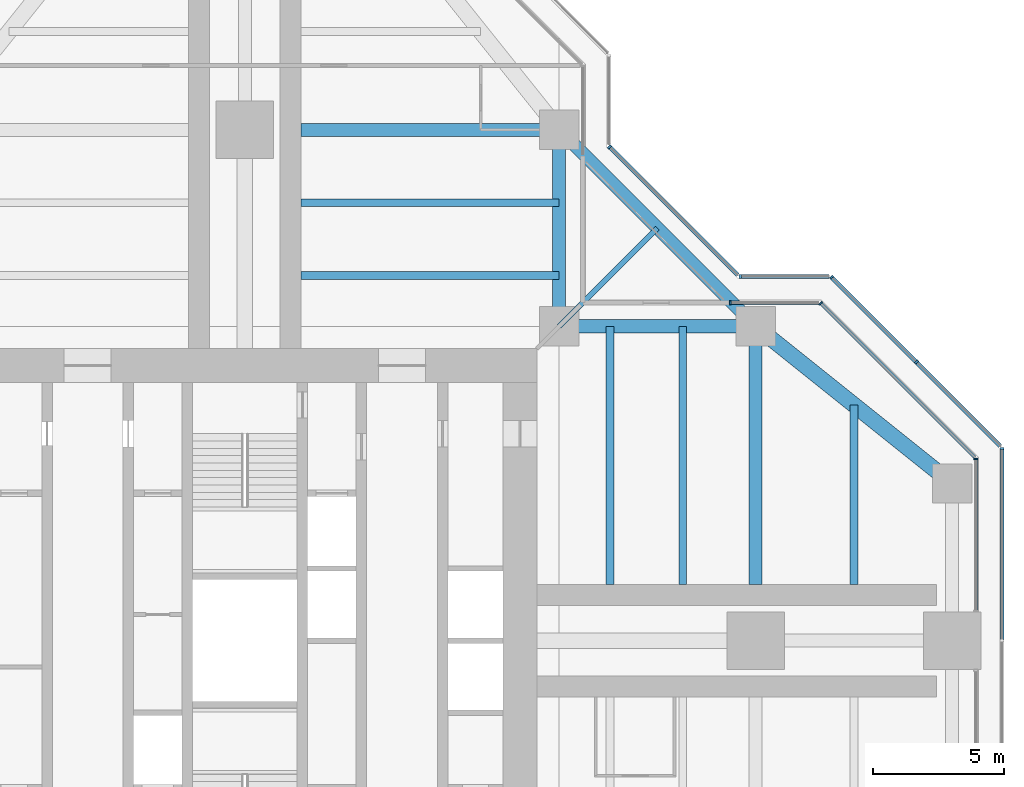
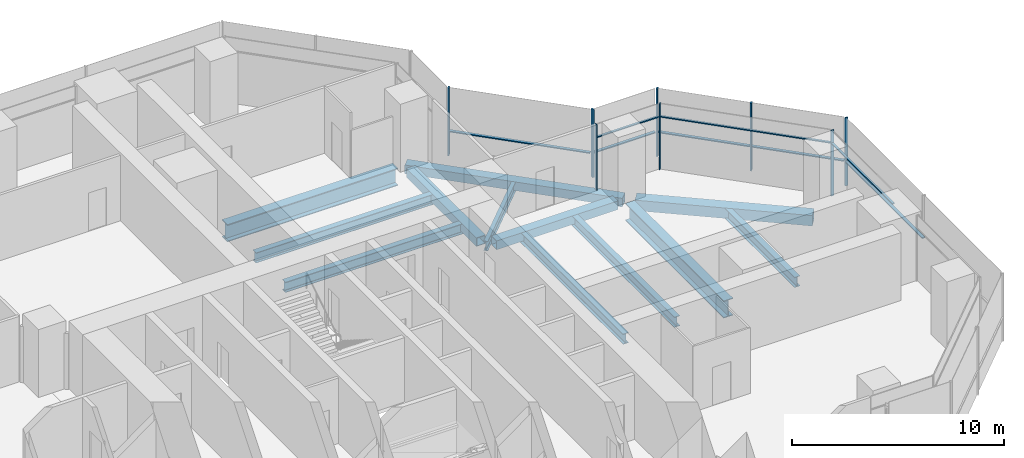
# One storey, part 8 of 17: 16 members, 12 beams, 7 elements without a shape of their own.
"""IFC4 building model written with IfcOpenShell, lengths in metres."""

from ifc_helpers import new_model, si_unit, direction, frame, origin, origin_2d, place, context, subcontext, project, spatial, rectangle, hollow_rectangle, i_section, extrude, material, material_profile, profile_set, type_object, element, aggregate, save


model = new_model("IFC4")

# Units and contexts
model_context = context("Model", 3, precision=1e-05, world=origin(), true_north=direction((0.0, 1.0)))
body_context = subcontext(model_context, "Body", "Model", "MODEL_VIEW")
ifc_project = project(units=[si_unit("LENGTHUNIT", "METRE"), si_unit("AREAUNIT", "SQUARE_METRE"), si_unit("VOLUMEUNIT", "CUBIC_METRE"), si_unit("PLANEANGLEUNIT", "RADIAN"), si_unit("MASSUNIT", "GRAM", prefix="KILO")], contexts=[model_context])

# Site, building, storey
site_placement = place(None, origin())
site = spatial("IfcSite", under=ifc_project, at=site_placement, CompositionType="ELEMENT")
building_placement = place(site_placement, origin())
building = spatial("IfcBuilding", under=site, at=building_placement, Name="Mizan Broadcast Tower", CompositionType="ELEMENT")
storey_placement = place(building_placement, frame((0.0, 0.0, 220.5)))
storey = spatial("IfcBuildingStorey", under=building, at=storey_placement, Name="L51", CompositionType="ELEMENT", Elevation=220.5)

# Beams
ifc_material_1 = material(Name="Steel S355", Category="steel")
ifc_material_profile_1 = material_profile(ifc_material_1, hollow_rectangle(XDim=0.5, YDim=0.5, WallThickness=0.030029296875, at=origin_2d()), Name="BOX 500x500x30")
ifc_profile_set_1 = profile_set([ifc_material_profile_1], Name="Steel S355")
beam_type_1 = type_object("IfcBeamType", Name="EDGE BEAM BOX 500x500x30", PredefinedType="SPANDREL", material=ifc_profile_set_1)
for number, where, z_axis, x_axis, name in (
    (1, (12.449951171875, 12.0, -0.3798828125), (1.0, 0.0, 0.0), (0.0, 1.0, 0.0), "Edge beam BOX 500x500x30 L51 east arm"),
    (2, (12.0, 12.449951171875, -0.3798828125), (0.0, 1.0, 0.0), (-1.0, 0.0, 0.0), "Edge beam BOX 500x500x30 L51 north arm"),
):
    element("IfcBeam", number, at=place(storey_placement, frame(where, z_axis=z_axis, x_axis=x_axis)), inside=storey, type_object=beam_type_1, Name=name, PredefinedType="SPANDREL", context=body_context, shape_type="SweptSolid", body=[
        extrude(hollow_rectangle(XDim=0.5, YDim=0.5, WallThickness=0.030029296875, at=origin_2d()), origin(), (0.0, 0.0, 1.0), 6.60009765625),
    ])
beam_1_placement = place(storey_placement, frame((19.5, 12.0, -0.3798828125), z_axis=(-0.707106781187, 0.707106781187, 0.0), x_axis=(-0.707106781187, -0.707106781187, 0.0)))
element("IfcBeam", 3, at=beam_1_placement, inside=storey, type_object=beam_type_1, Name="Winter garden edge beam L51 E", PredefinedType="SPANDREL", context=body_context, shape_type="SweptSolid", body=[
    extrude(hollow_rectangle(XDim=0.5, YDim=0.5, WallThickness=0.030029296875, at=origin_2d()), origin(), (0.0, 0.0, 1.0), 10.606689453125),
])
ifc_material_2 = material(Name="Steel S355", Category="steel")
ifc_material_profile_2 = material_profile(ifc_material_2, hollow_rectangle(XDim=0.60009765625, YDim=0.60009765625, WallThickness=0.030029296875, at=origin_2d()), Name="BOX 600x600x30")
ifc_profile_set_2 = profile_set([ifc_material_profile_2], Name="Steel S355")
beam_type_2 = type_object("IfcBeamType", Name="EDGE BEAM BOX 600x600x30", PredefinedType="SPANDREL", material=ifc_profile_set_2)
beam_2_placement = place(storey_placement, frame((19.949951171875, 11.639892578125, -0.429931640625), z_axis=(0.780885717636, -0.624673911726, 0.0), x_axis=(0.624673911726, 0.780885717636, 0.0)))
element("IfcBeam", 4, at=beam_2_placement, inside=storey, type_object=beam_type_2, Name="Edge beam BOX 600x600x30 L51 east arm", PredefinedType="SPANDREL", context=body_context, shape_type="SweptSolid", body=[
    extrude(hollow_rectangle(XDim=0.60009765625, YDim=0.60009765625, WallThickness=0.030029296875, at=origin_2d()), origin(), (0.0, 0.0, 1.0), 8.4521484375),
])
ifc_material_3 = material(Name="Steel S460", Category="steel")
ifc_material_profile_3 = material_profile(ifc_material_3, i_section(OverallWidth=0.5, OverallDepth=1.0, WebThickness=0.02490234375, FlangeThickness=0.050048828125, at=origin_2d()), Name="WPG 1000x500")
ifc_profile_set_3 = profile_set([ifc_material_profile_3], Name="Steel S460")
beam_type_3 = type_object("IfcBeamType", Name="GIRDER WPG 1000x500", PredefinedType="BEAM", material=ifc_profile_set_3)
for number, where, z_axis, x_axis, name in (
    (5, (19.5, 11.408935546875, -0.6298828125), (0.0, -1.0, 0.0), (1.0, 0.0, 0.0), "Girder WPG 1000x500 L51 east arm"),
    (6, (11.408935546875, 19.5, -0.6298828125), (-1.0, 0.0, 0.0), (0.0, -1.0, 0.0), "Girder WPG 1000x500 L51 north arm"),
):
    element("IfcBeam", number, at=place(storey_placement, frame(where, z_axis=z_axis, x_axis=x_axis)), inside=storey, type_object=beam_type_3, Name=name, PredefinedType="BEAM", context=body_context, shape_type="SweptSolid", body=[
        extrude(i_section(OverallWidth=0.5, OverallDepth=1.0, WebThickness=0.02490234375, FlangeThickness=0.050048828125, at=origin_2d()), origin(), (0.0, 0.0, 1.0), 9.259033203125),
    ])

# Curtain wall, member
ifc_material_4 = material(Name="Aluminium framed glazing", Category="aluminium")
curtain_wall_type_1 = type_object("IfcCurtainWallType", Name="INNER SKIN HIGH ZONE", PredefinedType="USERDEFINED", material=ifc_material_4)
curtain_wall_1_placement = place(storey_placement, origin())
curtain_wall_1 = element("IfcCurtainWall", 7, at=curtain_wall_1_placement, inside=storey, type_object=curtain_wall_type_1, Name="Inner skin high zone L51 E end", ObjectType="INNER SKIN HIGH ZONE", PredefinedType="USERDEFINED")
ifc_material_5 = material(Name="Aluminium, pale anodised", Category="aluminium")
ifc_material_profile_4 = material_profile(ifc_material_5, rectangle(XDim=0.159912109375, YDim=0.06005859375, at=origin_2d()), Name="MULLION 160x60")
ifc_profile_set_4 = profile_set([ifc_material_profile_4], Name="Aluminium, pale anodised")
member_type_1 = type_object("IfcMemberType", Name="INNER SKIN MULLION 60x160", PredefinedType="MULLION", material=ifc_profile_set_4)
member_1_placement = place(storey_placement, frame((27.89990234375, 6.928466796875, 0.0), z_axis=(0.0, 0.0, 1.0), x_axis=(-1.0, 0.0, 0.0)))
member_1 = element("IfcMember", 8, at=member_1_placement, type_object=member_type_1, Name="Inner skin high zone L51 E end mullion 2", PredefinedType="MULLION", context=body_context, shape_type="SweptSolid", body=[
    extrude(rectangle(XDim=0.159912109375, YDim=0.06005859375, at=origin_2d()), origin(), (0.0, 0.0, 1.0), 3.77001953125),
])

curtain_wall_2_placement = place(storey_placement, origin())
curtain_wall_2 = element("IfcCurtainWall", 9, at=curtain_wall_2_placement, inside=storey, type_object=curtain_wall_type_1, Name="Inner skin high zone L51 E chamfer", ObjectType="INNER SKIN HIGH ZONE", PredefinedType="USERDEFINED")
member_2_placement = place(storey_placement, frame((21.979736328125, 12.87890625, 0.0), z_axis=(0.0, 0.0, 1.0), x_axis=(-0.707106781187, -0.707106781187, 0.0)))
member_2 = element("IfcMember", 10, at=member_2_placement, type_object=member_type_1, Name="Inner skin high zone L51 E chamfer mullion 2", PredefinedType="MULLION", context=body_context, shape_type="SweptSolid", body=[
    extrude(rectangle(XDim=0.159912109375, YDim=0.06005859375, at=origin_2d()), origin(), (0.0, 0.0, 1.0), 3.77001953125),
])

curtain_wall_3_placement = place(storey_placement, origin())
curtain_wall_3 = element("IfcCurtainWall", 11, at=curtain_wall_3_placement, inside=storey, type_object=curtain_wall_type_1, Name="Inner skin high zone L51 E side", ObjectType="INNER SKIN HIGH ZONE", PredefinedType="USERDEFINED")
member_3_placement = place(storey_placement, frame((18.530029296875, 12.89990234375, 0.0), z_axis=(0.0, 0.0, 1.0), x_axis=(0.0, -1.0, 0.0)))
member_3 = element("IfcMember", 12, at=member_3_placement, type_object=member_type_1, Name="Inner skin high zone L51 E side mullion 2", PredefinedType="MULLION", context=body_context, shape_type="SweptSolid", body=[
    extrude(rectangle(XDim=0.159912109375, YDim=0.06005859375, at=origin_2d()), origin(), (0.0, 0.0, 1.0), 3.77001953125),
])

# Member
ifc_material_6 = material(Name="Aluminium, pale anodised", Category="aluminium")
ifc_material_profile_5 = material_profile(ifc_material_6, rectangle(XDim=0.1201171875, YDim=0.06005859375, at=origin_2d()), Name="TRANSOM 120x60")
ifc_profile_set_5 = profile_set([ifc_material_profile_5], Name="Aluminium, pale anodised")
member_type_2 = type_object("IfcMemberType", Name="INNER SKIN TRANSOM 60x120", PredefinedType="USERDEFINED", material=ifc_profile_set_5)
member_4_placement = place(storey_placement, frame((27.89990234375, 1.159912109375, 3.030029296875), z_axis=(0.0, 1.0, 0.0), x_axis=(-1.0, 0.0, 0.0)))
member_4 = element("IfcMember", 13, at=member_4_placement, type_object=member_type_2, Name="Inner skin high zone L51 E end transom 1.1", ObjectType="TRANSOM", PredefinedType="USERDEFINED", context=body_context, shape_type="SweptSolid", body=[
    extrude(rectangle(XDim=0.1201171875, YDim=0.06005859375, at=origin_2d()), origin(), (0.0, 0.0, 1.0), 5.73876953125),
])

aggregate(curtain_wall_1, [member_1, member_4])

member_5_placement = place(storey_placement, frame((27.857666015625, 7.0009765625, 3.030029296875), z_axis=(-0.707106781187, 0.707106781187, 0.0), x_axis=(-0.707106781187, -0.707106781187, 0.0)))
member_5 = element("IfcMember", 14, at=member_5_placement, type_object=member_type_2, Name="Inner skin high zone L51 E chamfer transom 1.1", ObjectType="TRANSOM", PredefinedType="USERDEFINED", context=body_context, shape_type="SweptSolid", body=[
    extrude(rectangle(XDim=0.1201171875, YDim=0.06005859375, at=origin_2d()), origin(), (0.0, 0.0, 1.0), 8.28271484375),
])

aggregate(curtain_wall_2, [member_2, member_5])

member_6_placement = place(storey_placement, frame((21.898681640625, 12.89990234375, 3.030029296875), z_axis=(-1.0, 0.0, 0.0), x_axis=(0.0, -1.0, 0.0)))
member_6 = element("IfcMember", 15, at=member_6_placement, type_object=member_type_2, Name="Inner skin high zone L51 E side transom 1.1", ObjectType="TRANSOM", PredefinedType="USERDEFINED", context=body_context, shape_type="SweptSolid", body=[
    extrude(rectangle(XDim=0.1201171875, YDim=0.06005859375, at=origin_2d()), origin(), (0.0, 0.0, 1.0), 3.338623046875),
])

aggregate(curtain_wall_3, [member_3, member_6])

# Curtain wall, member
ifc_material_7 = material(Name="Aluminium framed glazing", Category="aluminium")
curtain_wall_type_2 = type_object("IfcCurtainWallType", Name="OUTER SKIN", PredefinedType="USERDEFINED", material=ifc_material_7)
curtain_wall_4_placement = place(storey_placement, origin())
curtain_wall_4 = element("IfcCurtainWall", 16, at=curtain_wall_4_placement, inside=storey, type_object=curtain_wall_type_2, Name="Outer skin L51 E end", ObjectType="OUTER SKIN", PredefinedType="USERDEFINED")
ifc_material_8 = material(Name="Aluminium, pale anodised", Category="aluminium")
ifc_material_profile_6 = material_profile(ifc_material_8, rectangle(XDim=0.159912109375, YDim=0.080078125, at=origin_2d()), Name="MULLION 160x80")
ifc_profile_set_6 = profile_set([ifc_material_profile_6], Name="Aluminium, pale anodised")
member_type_3 = type_object("IfcMemberType", Name="OUTER SKIN MULLION 80x160", PredefinedType="MULLION", material=ifc_profile_set_6)
member_7_placement = place(storey_placement, frame((28.89990234375, 7.332763671875, 0.0), z_axis=(0.0, 0.0, 1.0), x_axis=(-1.0, 0.0, 0.0)))
member_7 = element("IfcMember", 17, at=member_7_placement, type_object=member_type_3, Name="Outer skin L51 E end mullion 3", PredefinedType="MULLION", context=body_context, shape_type="SweptSolid", body=[
    extrude(rectangle(XDim=0.159912109375, YDim=0.080078125, at=origin_2d()), origin(), (0.0, 0.0, 1.0), 3.89990234375),
])

# Curtain wall, members
curtain_wall_5_placement = place(storey_placement, origin())
curtain_wall_5 = element("IfcCurtainWall", 18, at=curtain_wall_5_placement, inside=storey, type_object=curtain_wall_type_2, Name="Outer skin L51 E chamfer", ObjectType="OUTER SKIN", PredefinedType="USERDEFINED")
member_8_placement = place(storey_placement, frame((25.636474609375, 10.636474609375, 0.0), z_axis=(0.0, 0.0, 1.0), x_axis=(-0.707106781187, -0.707106781187, 0.0)))
member_8 = element("IfcMember", 19, at=member_8_placement, type_object=member_type_3, Name="Outer skin L51 E chamfer mullion 2", PredefinedType="MULLION", context=body_context, shape_type="SweptSolid", body=[
    extrude(rectangle(XDim=0.159912109375, YDim=0.080078125, at=origin_2d()), origin(), (0.0, 0.0, 1.0), 3.89990234375),
])
member_9_placement = place(storey_placement, frame((22.401123046875, 13.871826171875, 0.0), z_axis=(0.0, 0.0, 1.0), x_axis=(-0.707106781187, -0.707106781187, 0.0)))
member_9 = element("IfcMember", 20, at=member_9_placement, type_object=member_type_3, Name="Outer skin L51 E chamfer mullion 3", PredefinedType="MULLION", context=body_context, shape_type="SweptSolid", body=[
    extrude(rectangle(XDim=0.159912109375, YDim=0.080078125, at=origin_2d()), origin(), (0.0, 0.0, 1.0), 3.89990234375),
])

# Curtain wall, member
curtain_wall_6_placement = place(storey_placement, origin())
curtain_wall_6 = element("IfcCurtainWall", 21, at=curtain_wall_6_placement, inside=storey, type_object=curtain_wall_type_2, Name="Outer skin L51 E side", ObjectType="OUTER SKIN", PredefinedType="USERDEFINED")
member_10_placement = place(storey_placement, frame((18.912841796875, 13.89990234375, 0.0), z_axis=(0.0, 0.0, 1.0), x_axis=(0.0, -1.0, 0.0)))
member_10 = element("IfcMember", 22, at=member_10_placement, type_object=member_type_3, Name="Outer skin L51 E side mullion 2", PredefinedType="MULLION", context=body_context, shape_type="SweptSolid", body=[
    extrude(rectangle(XDim=0.159912109375, YDim=0.080078125, at=origin_2d()), origin(), (0.0, 0.0, 1.0), 3.89990234375),
])

curtain_wall_7_placement = place(storey_placement, origin())
curtain_wall_7 = element("IfcCurtainWall", 23, at=curtain_wall_7_placement, inside=storey, type_object=curtain_wall_type_2, Name="Outer skin L51 E chamfer", ObjectType="OUTER SKIN", PredefinedType="USERDEFINED")
member_11_placement = place(storey_placement, frame((13.92822265625, 18.844482421875, 0.0), z_axis=(0.0, 0.0, 1.0), x_axis=(-0.707106781187, -0.707106781187, 0.0)))
member_11 = element("IfcMember", 24, at=member_11_placement, type_object=member_type_3, Name="Outer skin L51 E chamfer mullion 2", PredefinedType="MULLION", context=body_context, shape_type="SweptSolid", body=[
    extrude(rectangle(XDim=0.159912109375, YDim=0.080078125, at=origin_2d()), origin(), (0.0, 0.0, 1.0), 3.89990234375),
])

# Member
ifc_material_9 = material(Name="Aluminium, pale anodised", Category="aluminium")
ifc_material_profile_7 = material_profile(ifc_material_9, rectangle(XDim=0.159912109375, YDim=0.06005859375, at=origin_2d()), Name="TRANSOM 160x60")
ifc_profile_set_7 = profile_set([ifc_material_profile_7], Name="Aluminium, pale anodised")
member_type_4 = type_object("IfcMemberType", Name="OUTER SKIN TRANSOM 60x160", PredefinedType="USERDEFINED", material=ifc_profile_set_7)
member_12_placement = place(storey_placement, frame((28.89990234375, 0.0400390625, 1.39990234375), z_axis=(0.0, 1.0, 0.0), x_axis=(-1.0, 0.0, 0.0)))
member_12 = element("IfcMember", 25, at=member_12_placement, type_object=member_type_4, Name="Outer skin L51 E end transom 2.1", ObjectType="TRANSOM", PredefinedType="USERDEFINED", context=body_context, shape_type="SweptSolid", body=[
    extrude(rectangle(XDim=0.159912109375, YDim=0.06005859375, at=origin_2d()), origin(), (0.0, 0.0, 1.0), 7.252685546875),
])

aggregate(curtain_wall_4, [member_7, member_12])

member_13_placement = place(storey_placement, frame((28.843505859375, 7.429443359375, 1.39990234375), z_axis=(-0.707106781187, 0.707106781187, 0.0), x_axis=(-0.707106781187, -0.707106781187, 0.0)))
member_13 = element("IfcMember", 26, at=member_13_placement, type_object=member_type_4, Name="Outer skin L51 E chamfer transom 1.1", ObjectType="TRANSOM", PredefinedType="USERDEFINED", context=body_context, shape_type="SweptSolid", body=[
    extrude(rectangle(XDim=0.159912109375, YDim=0.06005859375, at=origin_2d()), origin(), (0.0, 0.0, 1.0), 4.495361328125),
])

member_14_placement = place(storey_placement, frame((25.608154296875, 10.664794921875, 1.39990234375), z_axis=(-0.707106781187, 0.707106781187, 0.0), x_axis=(-0.707106781187, -0.707106781187, 0.0)))
member_14 = element("IfcMember", 27, at=member_14_placement, type_object=member_type_4, Name="Outer skin L51 E chamfer transom 2.1", ObjectType="TRANSOM", PredefinedType="USERDEFINED", context=body_context, shape_type="SweptSolid", body=[
    extrude(rectangle(XDim=0.159912109375, YDim=0.06005859375, at=origin_2d()), origin(), (0.0, 0.0, 1.0), 4.495361328125),
])

aggregate(curtain_wall_5, [member_8, member_9, member_13, member_14])

member_15_placement = place(storey_placement, frame((22.292724609375, 13.89990234375, 1.39990234375), z_axis=(-1.0, 0.0, 0.0), x_axis=(0.0, -1.0, 0.0)))
member_15 = element("IfcMember", 28, at=member_15_placement, type_object=member_type_4, Name="Outer skin L51 E side transom 1.1", ObjectType="TRANSOM", PredefinedType="USERDEFINED", context=body_context, shape_type="SweptSolid", body=[
    extrude(rectangle(XDim=0.159912109375, YDim=0.06005859375, at=origin_2d()), origin(), (0.0, 0.0, 1.0), 3.33984375),
])

aggregate(curtain_wall_6, [member_10, member_15])

member_16_placement = place(storey_placement, frame((18.816162109375, 13.95654296875, 1.39990234375), z_axis=(-0.707106781187, 0.707106781187, 0.0), x_axis=(-0.707106781187, -0.707106781187, 0.0)))
member_16 = element("IfcMember", 29, at=member_16_placement, type_object=member_type_4, Name="Outer skin L51 E chamfer transom 1.1", ObjectType="TRANSOM", PredefinedType="USERDEFINED", context=body_context, shape_type="SweptSolid", body=[
    extrude(rectangle(XDim=0.159912109375, YDim=0.06005859375, at=origin_2d()), origin(), (0.0, 0.0, 1.0), 6.87255859375),
])

aggregate(curtain_wall_7, [member_11, member_16])

# Beams
ifc_material_10 = material(Name="Steel S355", Category="steel")
ifc_material_profile_8 = material_profile(ifc_material_10, i_section(OverallWidth=0.300048828125, OverallDepth=0.590087890625, WebThickness=0.012939453125, FlangeThickness=0.02490234375, FilletRadius=0.027099609375, at=origin_2d()), Name="HEA 600")
ifc_profile_set_8 = profile_set([ifc_material_profile_8], Name="Steel S355")
beam_type_4 = type_object("IfcBeamType", Name="SECONDARY BEAM HEA 600", PredefinedType="JOIST", material=ifc_profile_set_8)
for number, where, z_axis, x_axis, name in (
    (30, (13.933349609375, 12.0, -0.425048828125), (0.0, -1.0, 0.0), (1.0, 0.0, 0.0), "Secondary beam HEA 600 L51 east arm"),
    (31, (16.716552734375, 12.0, -0.425048828125), (0.0, -1.0, 0.0), (1.0, 0.0, 0.0), "Secondary beam HEA 600 L51 east arm"),
):
    element("IfcBeam", number, at=place(storey_placement, frame(where, z_axis=z_axis, x_axis=x_axis)), inside=storey, type_object=beam_type_4, Name=name, PredefinedType="JOIST", context=body_context, shape_type="SweptSolid", body=[
        extrude(i_section(OverallWidth=0.300048828125, OverallDepth=0.590087890625, WebThickness=0.012939453125, FlangeThickness=0.02490234375, FilletRadius=0.027099609375, at=origin_2d()), origin(), (0.0, 0.0, 1.0), 9.85009765625),
    ])
beam_3_placement = place(storey_placement, frame((23.25, 9.0, -0.425048828125), z_axis=(0.0, -1.0, 0.0), x_axis=(1.0, 0.0, 0.0)))
element("IfcBeam", 32, at=beam_3_placement, inside=storey, type_object=beam_type_4, Name="Secondary beam HEA 600 L51 east arm", PredefinedType="JOIST", context=body_context, shape_type="SweptSolid", body=[
    extrude(i_section(OverallWidth=0.300048828125, OverallDepth=0.590087890625, WebThickness=0.012939453125, FlangeThickness=0.02490234375, FilletRadius=0.027099609375, at=origin_2d()), origin(), (0.0, 0.0, 1.0), 6.85009765625),
])
for number, where, z_axis, x_axis, name in (
    (33, (12.0, 13.933349609375, -0.425048828125), (-1.0, 0.0, 0.0), (0.0, -1.0, 0.0), "Secondary beam HEA 600 L51 north arm"),
    (34, (12.0, 16.716552734375, -0.425048828125), (-1.0, 0.0, 0.0), (0.0, -1.0, 0.0), "Secondary beam HEA 600 L51 north arm"),
):
    element("IfcBeam", number, at=place(storey_placement, frame(where, z_axis=z_axis, x_axis=x_axis)), inside=storey, type_object=beam_type_4, Name=name, PredefinedType="JOIST", context=body_context, shape_type="SweptSolid", body=[
        extrude(i_section(OverallWidth=0.300048828125, OverallDepth=0.590087890625, WebThickness=0.012939453125, FlangeThickness=0.02490234375, FilletRadius=0.027099609375, at=origin_2d()), origin(), (0.0, 0.0, 1.0), 9.85009765625),
    ])
ifc_material_11 = material(Name="Steel S355", Category="steel")
ifc_material_profile_9 = material_profile(ifc_material_11, i_section(OverallWidth=0.2099609375, OverallDepth=0.550048828125, WebThickness=0.010986328125, FlangeThickness=0.01708984375, FilletRadius=0.02392578125, at=origin_2d()), Name="IPE 550")
ifc_profile_set_9 = profile_set([ifc_material_profile_9], Name="Steel S355")
beam_type_5 = type_object("IfcBeamType", Name="SECONDARY BEAM IPE 550", PredefinedType="JOIST", material=ifc_profile_set_9)
beam_4_placement = place(storey_placement, frame((12.0, 12.0, -0.405029296875), z_axis=(0.707106781187, 0.707106781187, 0.0), x_axis=(-0.707106781187, 0.707106781187, 0.0)))
element("IfcBeam", 35, at=beam_4_placement, inside=storey, type_object=beam_type_5, Name="Winter garden beam L51 E", PredefinedType="JOIST", context=body_context, shape_type="SweptSolid", body=[
    extrude(i_section(OverallWidth=0.2099609375, OverallDepth=0.550048828125, WebThickness=0.010986328125, FlangeThickness=0.01708984375, FilletRadius=0.02392578125, at=origin_2d()), origin(), (0.0, 0.0, 1.0), 5.30322265625),
])

save(model, "model.ifc")
